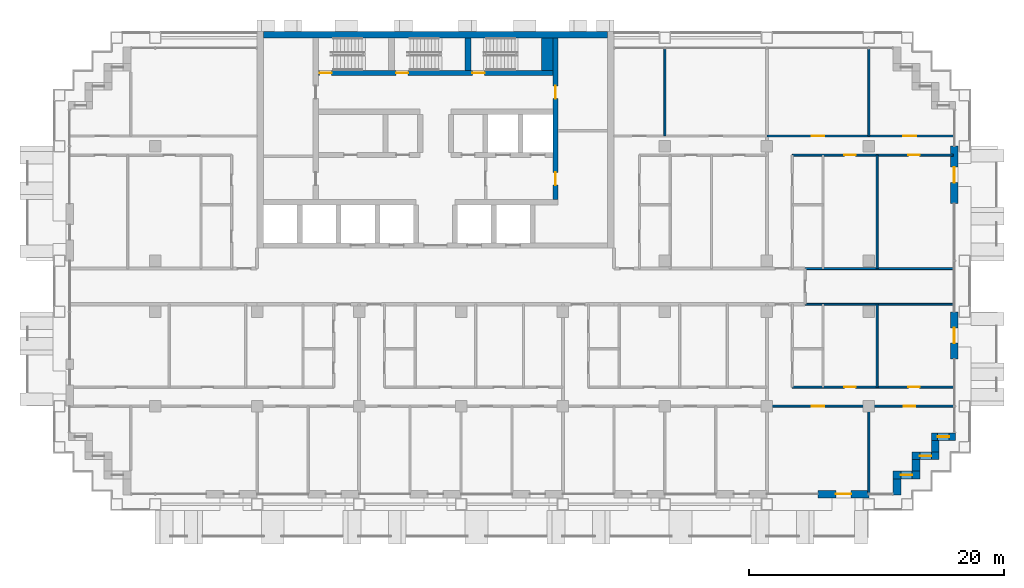
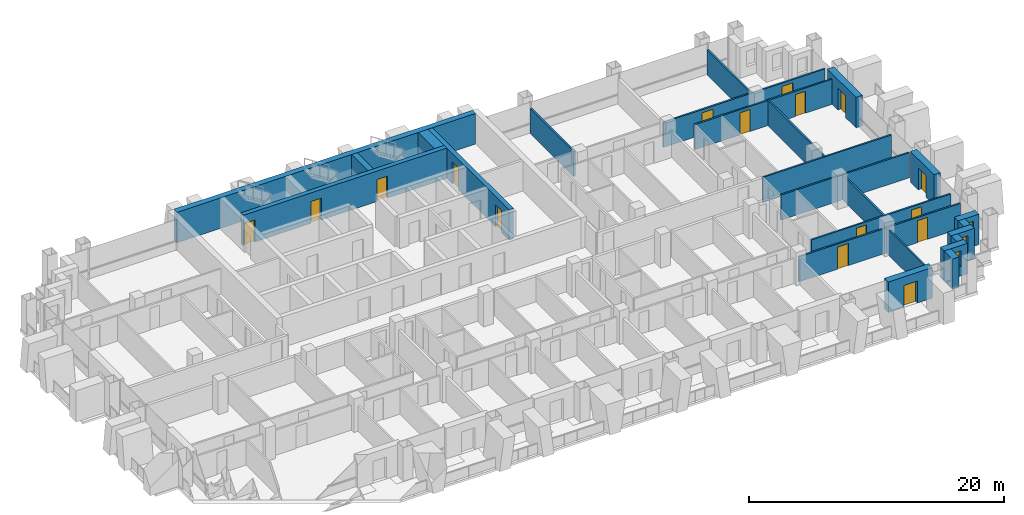
# One storey, part 12 of 17: 25 walls, 16 doors, 3 windows, 19 openings.
"""IFC4 building model written with IfcOpenShell, lengths in metres."""

from ifc_helpers import new_model, si_unit, direction, frame, frame_2d, origin, place, context, subcontext, project, spatial, rectangle, extrude, material, layer, layer_set, type_object, element, fill, save


model = new_model("IFC4")

# Units and contexts
model_context = context("Model", 3, precision=1e-05, world=origin(), true_north=direction((0.0, 1.0)))
body_context = subcontext(model_context, "Body", "Model", "MODEL_VIEW")
ifc_project = project(units=[si_unit("LENGTHUNIT", "METRE"), si_unit("AREAUNIT", "SQUARE_METRE"), si_unit("VOLUMEUNIT", "CUBIC_METRE"), si_unit("PLANEANGLEUNIT", "RADIAN"), si_unit("MASSUNIT", "GRAM", prefix="KILO")], contexts=[model_context])

# Site, building, storey
site_placement = place(None, origin())
site = spatial("IfcSite", under=ifc_project, at=site_placement, CompositionType="ELEMENT")
building_placement = place(site_placement, origin())
building = spatial("IfcBuilding", under=site, at=building_placement, Name="Vidyagriha Tower", CompositionType="ELEMENT")
storey_placement = place(building_placement, frame((0.0, 0.0, 77.5)))
storey = spatial("IfcBuildingStorey", under=building, at=storey_placement, Name="L19", CompositionType="ELEMENT", Elevation=77.5)

# Wall, opening, door
ifc_material_1 = material(Name="Precast concrete C40/50 with brick facing", Category="concrete")
ifc_layer_1 = layer(ifc_material_1, 0.60009765625)
ifc_layer_set_1 = layer_set([ifc_layer_1], Name="Precast concrete C40/50 with brick facing")
wall_type_1 = type_object("IfcWallType", Name="Brick-faced precast wall 600", PredefinedType="STANDARD", material=ifc_layer_set_1)
wall_1_placement = place(storey_placement, frame((30.0, -16.300048828125, 0.0)))
wall_1 = element("IfcWall", 1, at=wall_1_placement, inside=storey, type_object=wall_type_1, Name="Brick door bay wall L19 R23.15", PredefinedType="STANDARD", context=body_context, shape_type="SweptSolid", body=[
    extrude(rectangle(XDim=4.0, YDim=0.60009765625, at=frame_2d((2.0, 0.0))), origin(), (0.0, 0.0, 1.0), 2.919921875),
])
opening_1_placement = place(wall_1_placement, frame((1.39990234375, 0.0, 0.0)))
opening_1 = element("IfcOpeningElement", 2, at=opening_1_placement, cuts=wall_1, Name="Opening D19-80", PredefinedType="OPENING", context=body_context, shape_type="SweptSolid", body=[
    extrude(rectangle(XDim=1.199951171875, YDim=2.10009765625, at=frame_2d((0.60009765625, 1.050048828125))), frame((0.0, 0.31005859375, 0.0), z_axis=(0.0, -1.0, 0.0), x_axis=(1.0, 0.0, 0.0)), (0.0, 0.0, 1.0), 0.6201171875),
])
ifc_material_2 = material(Name="Aluminium framed glazed sliding door", Category="aluminium")
door_type_1 = type_object("IfcDoorType", Name="Balcony sliding door 1200x2100", OperationType="NOTDEFINED", PredefinedType="DOOR", material=ifc_material_2)
door_1_placement = place(opening_1_placement, origin())
door_1 = element("IfcDoor", 3, at=door_1_placement, inside=storey, type_object=door_type_1, Name="Door D19-80", OperationType="SLIDING_TO_LEFT", OverallHeight=2.10009765625, OverallWidth=1.199951171875, PredefinedType="DOOR", context=body_context, shape_type="SweptSolid", body=[
    extrude(rectangle(XDim=1.199951171875, YDim=2.10009765625, at=frame_2d((0.60009765625, 1.050048828125))), frame((0.0, 0.02490234375, 0.0), z_axis=(0.0, -1.0, 0.0), x_axis=(1.0, 0.0, 0.0)), (0.0, 0.0, 1.0), 0.050048828125),
])
fill(opening_1, door_1)

# Wall
wall_2_placement = place(storey_placement, frame((36.199951171875, -16.3798828125, 0.0), z_axis=(0.0, 0.0, 1.0), x_axis=(0.0, 1.0, 0.0)))
element("IfcWall", 4, at=wall_2_placement, inside=storey, type_object=wall_type_1, Name="Stepped corner wall L19 R24", PredefinedType="STANDARD", context=body_context, shape_type="SweptSolid", body=[
    extrude(rectangle(XDim=1.27978515625, YDim=0.60009765625, at=frame_2d((0.639892578125, 0.0))), origin(), (0.0, 0.0, 1.0), 2.919921875),
])

# Wall, opening, window
wall_3_placement = place(storey_placement, frame((35.89990234375, -14.800048828125, 0.0)))
wall_3 = element("IfcWall", 5, at=wall_3_placement, inside=storey, type_object=wall_type_1, Name="Stepped corner wall L19 R25", PredefinedType="STANDARD", context=body_context, shape_type="SweptSolid", body=[
    extrude(rectangle(XDim=2.10009765625, YDim=0.60009765625, at=frame_2d((1.050048828125, 0.0))), origin(), (0.0, 0.0, 1.0), 2.919921875),
])
opening_2_placement = place(wall_3_placement, frame((0.60009765625, 0.0, 0.89990234375)))
opening_2 = element("IfcOpeningElement", 6, at=opening_2_placement, cuts=wall_3, Name="Opening WN1", PredefinedType="OPENING", context=body_context, shape_type="SweptSolid", body=[
    extrude(rectangle(XDim=0.89990234375, YDim=1.5, at=frame_2d((0.449951171875, 0.75))), frame((0.0, 0.31005859375, 0.0), z_axis=(0.0, -1.0, 0.0), x_axis=(1.0, 0.0, 0.0)), (0.0, 0.0, 1.0), 0.6201171875),
])
ifc_material_3 = material(Name="Aluminium and glass window", Category="aluminium")
window_type = type_object("IfcWindowType", Name="Reveal window 900x1500", PartitioningType="NOTDEFINED", PredefinedType="WINDOW", material=ifc_material_3)
window_1_placement = place(opening_2_placement, origin())
window_1 = element("IfcWindow", 7, at=window_1_placement, inside=storey, type_object=window_type, Name="Reveal window L19 R25", OverallHeight=1.5, OverallWidth=0.89990234375, PartitioningType="SINGLE_PANEL", PredefinedType="WINDOW", context=body_context, shape_type="SweptSolid", body=[
    extrude(rectangle(XDim=0.89990234375, YDim=1.5, at=frame_2d((0.449951171875, 0.75))), frame((0.0, 0.030029296875, 0.0), z_axis=(0.0, -1.0, 0.0), x_axis=(1.0, 0.0, 0.0)), (0.0, 0.0, 1.0), 0.06005859375),
])
fill(opening_2, window_1)

# Wall
wall_4_placement = place(storey_placement, frame((37.699951171875, -14.5, 0.0), z_axis=(0.0, 0.0, 1.0), x_axis=(0.0, 1.0, 0.0)))
element("IfcWall", 8, at=wall_4_placement, inside=storey, type_object=wall_type_1, Name="Stepped corner wall L19 R26", PredefinedType="STANDARD", context=body_context, shape_type="SweptSolid", body=[
    extrude(rectangle(XDim=0.89990234375, YDim=0.60009765625, at=frame_2d((0.449951171875, 0.0))), origin(), (0.0, 0.0, 1.0), 2.919921875),
])

# Wall, opening, window
wall_5_placement = place(storey_placement, frame((37.39990234375, -13.300048828125, 0.0)))
wall_5 = element("IfcWall", 9, at=wall_5_placement, inside=storey, type_object=wall_type_1, Name="Stepped corner wall L19 R27", PredefinedType="STANDARD", context=body_context, shape_type="SweptSolid", body=[
    extrude(rectangle(XDim=2.10009765625, YDim=0.60009765625, at=frame_2d((1.050048828125, 0.0))), origin(), (0.0, 0.0, 1.0), 2.919921875),
])
opening_3_placement = place(wall_5_placement, frame((0.60009765625, 0.0, 0.89990234375)))
opening_3 = element("IfcOpeningElement", 10, at=opening_3_placement, cuts=wall_5, Name="Opening WN1", PredefinedType="OPENING", context=body_context, shape_type="SweptSolid", body=[
    extrude(rectangle(XDim=0.89990234375, YDim=1.5, at=frame_2d((0.449951171875, 0.75))), frame((0.0, 0.31005859375, 0.0), z_axis=(0.0, -1.0, 0.0), x_axis=(1.0, 0.0, 0.0)), (0.0, 0.0, 1.0), 0.6201171875),
])
window_2_placement = place(opening_3_placement, origin())
window_2 = element("IfcWindow", 11, at=window_2_placement, inside=storey, type_object=window_type, Name="Reveal window L19 R27", OverallHeight=1.5, OverallWidth=0.89990234375, PartitioningType="SINGLE_PANEL", PredefinedType="WINDOW", context=body_context, shape_type="SweptSolid", body=[
    extrude(rectangle(XDim=0.89990234375, YDim=1.5, at=frame_2d((0.449951171875, 0.75))), frame((0.0, 0.030029296875, 0.0), z_axis=(0.0, -1.0, 0.0), x_axis=(1.0, 0.0, 0.0)), (0.0, 0.0, 1.0), 0.06005859375),
])
fill(opening_3, window_2)

# Wall
wall_6_placement = place(storey_placement, frame((39.199951171875, -13.0, 0.0), z_axis=(0.0, 0.0, 1.0), x_axis=(0.0, 1.0, 0.0)))
element("IfcWall", 12, at=wall_6_placement, inside=storey, type_object=wall_type_1, Name="Stepped corner wall L19 R28", PredefinedType="STANDARD", context=body_context, shape_type="SweptSolid", body=[
    extrude(rectangle(XDim=0.89990234375, YDim=0.60009765625, at=frame_2d((0.449951171875, 0.0))), origin(), (0.0, 0.0, 1.0), 2.919921875),
])

# Wall, opening, window
wall_7_placement = place(storey_placement, frame((38.89990234375, -11.800048828125, 0.0)))
wall_7 = element("IfcWall", 13, at=wall_7_placement, inside=storey, type_object=wall_type_1, Name="Stepped corner wall L19 R29", PredefinedType="STANDARD", context=body_context, shape_type="SweptSolid", body=[
    extrude(rectangle(XDim=1.880126953125, YDim=0.60009765625, at=frame_2d((0.93994140625, 0.0))), origin(), (0.0, 0.0, 1.0), 2.919921875),
])
opening_4_placement = place(wall_7_placement, frame((0.489990234375, 0.0, 0.89990234375)))
opening_4 = element("IfcOpeningElement", 14, at=opening_4_placement, cuts=wall_7, Name="Opening WN1", PredefinedType="OPENING", context=body_context, shape_type="SweptSolid", body=[
    extrude(rectangle(XDim=0.89990234375, YDim=1.5, at=frame_2d((0.449951171875, 0.75))), frame((0.0, 0.31005859375, 0.0), z_axis=(0.0, -1.0, 0.0), x_axis=(1.0, 0.0, 0.0)), (0.0, 0.0, 1.0), 0.6201171875),
])
window_3_placement = place(opening_4_placement, origin())
window_3 = element("IfcWindow", 15, at=window_3_placement, inside=storey, type_object=window_type, Name="Reveal window L19 R29", OverallHeight=1.5, OverallWidth=0.89990234375, PartitioningType="SINGLE_PANEL", PredefinedType="WINDOW", context=body_context, shape_type="SweptSolid", body=[
    extrude(rectangle(XDim=0.89990234375, YDim=1.5, at=frame_2d((0.449951171875, 0.75))), frame((0.0, 0.030029296875, 0.0), z_axis=(0.0, -1.0, 0.0), x_axis=(1.0, 0.0, 0.0)), (0.0, 0.0, 1.0), 0.06005859375),
])
fill(opening_4, window_3)

# Wall, opening, door
wall_8_placement = place(storey_placement, frame((40.699951171875, -5.699951171875, 0.0), z_axis=(0.0, 0.0, 1.0), x_axis=(0.0, 1.0, 0.0)))
wall_8 = element("IfcWall", 16, at=wall_8_placement, inside=storey, type_object=wall_type_1, Name="Brick door bay wall L19 R30.3", PredefinedType="STANDARD", context=body_context, shape_type="SweptSolid", body=[
    extrude(rectangle(XDim=3.699951171875, YDim=0.60009765625, at=frame_2d((1.85009765625, 0.0))), origin(), (0.0, 0.0, 1.0), 2.919921875),
])
opening_5_placement = place(wall_8_placement, frame((1.25, 0.0, 0.0)))
opening_5 = element("IfcOpeningElement", 17, at=opening_5_placement, cuts=wall_8, Name="Opening D19-81", PredefinedType="OPENING", context=body_context, shape_type="SweptSolid", body=[
    extrude(rectangle(XDim=1.199951171875, YDim=2.10009765625, at=frame_2d((0.60009765625, 1.050048828125))), frame((0.0, 0.31005859375, 0.0), z_axis=(0.0, -1.0, 0.0), x_axis=(1.0, 0.0, 0.0)), (0.0, 0.0, 1.0), 0.6201171875),
])
door_2_placement = place(opening_5_placement, origin())
door_2 = element("IfcDoor", 18, at=door_2_placement, inside=storey, type_object=door_type_1, Name="Door D19-81", OperationType="SLIDING_TO_LEFT", OverallHeight=2.10009765625, OverallWidth=1.199951171875, PredefinedType="DOOR", context=body_context, shape_type="SweptSolid", body=[
    extrude(rectangle(XDim=1.199951171875, YDim=2.10009765625, at=frame_2d((0.60009765625, 1.050048828125))), frame((0.0, 0.02490234375, 0.0), z_axis=(0.0, -1.0, 0.0), x_axis=(1.0, 0.0, 0.0)), (0.0, 0.0, 1.0), 0.050048828125),
])
fill(opening_5, door_2)

wall_9_placement = place(storey_placement, frame((40.699951171875, 6.5, 0.0), z_axis=(0.0, 0.0, 1.0), x_axis=(0.0, 1.0, 0.0)))
wall_9 = element("IfcWall", 19, at=wall_9_placement, inside=storey, type_object=wall_type_1, Name="Brick door bay wall L19 R30.6", PredefinedType="STANDARD", context=body_context, shape_type="SweptSolid", body=[
    extrude(rectangle(XDim=4.5, YDim=0.60009765625, at=frame_2d((2.25, 0.0))), origin(), (0.0, 0.0, 1.0), 2.919921875),
])
opening_6_placement = place(wall_9_placement, frame((1.64990234375, 0.0, 0.0)))
opening_6 = element("IfcOpeningElement", 20, at=opening_6_placement, cuts=wall_9, Name="Opening D19-82", PredefinedType="OPENING", context=body_context, shape_type="SweptSolid", body=[
    extrude(rectangle(XDim=1.199951171875, YDim=2.10009765625, at=frame_2d((0.60009765625, 1.050048828125))), frame((0.0, 0.31005859375, 0.0), z_axis=(0.0, -1.0, 0.0), x_axis=(1.0, 0.0, 0.0)), (0.0, 0.0, 1.0), 0.6201171875),
])
door_3_placement = place(opening_6_placement, origin())
door_3 = element("IfcDoor", 21, at=door_3_placement, inside=storey, type_object=door_type_1, Name="Door D19-82", OperationType="SLIDING_TO_LEFT", OverallHeight=2.10009765625, OverallWidth=1.199951171875, PredefinedType="DOOR", context=body_context, shape_type="SweptSolid", body=[
    extrude(rectangle(XDim=1.199951171875, YDim=2.10009765625, at=frame_2d((0.60009765625, 1.050048828125))), frame((0.0, 0.02490234375, 0.0), z_axis=(0.0, -1.0, 0.0), x_axis=(1.0, 0.0, 0.0)), (0.0, 0.0, 1.0), 0.050048828125),
])
fill(opening_6, door_3)

# Wall, openings, doors
ifc_material_4 = material(Name="Concrete C60/75", Category="concrete")
ifc_layer_2 = layer(ifc_material_4, 0.39990234375)
ifc_layer_set_2 = layer_set([ifc_layer_2], Name="Concrete C60/75")
wall_type_2 = type_object("IfcWallType", Name="Core shear wall 400 mm", PredefinedType="SHEAR", material=ifc_layer_set_2)
wall_10_placement = place(storey_placement, frame((9.39990234375, 6.800048828125, 0.0), z_axis=(0.0, 0.0, 1.0), x_axis=(0.0, 1.0, 0.0)))
wall_10 = element("IfcWall", 22, at=wall_10_placement, inside=storey, type_object=wall_type_2, Name="Core east spine wall", PredefinedType="SHEAR", context=body_context, shape_type="SweptSolid", body=[
    extrude(rectangle(XDim=12.699951171875, YDim=0.39990234375, at=frame_2d((6.35009765625, 0.0))), origin(), (0.0, 0.0, 1.0), 2.919921875),
])
opening_7_placement = place(wall_10_placement, frame((1.14990234375, 0.0, 0.0)))
opening_7 = element("IfcOpeningElement", 23, at=opening_7_placement, cuts=wall_10, Name="Opening D19-11", PredefinedType="OPENING", context=body_context, shape_type="SweptSolid", body=[
    extrude(rectangle(XDim=1.0, YDim=2.10009765625, at=frame_2d((0.5, 1.050048828125))), frame((0.0, 0.2099609375, 0.0), z_axis=(0.0, -1.0, 0.0), x_axis=(1.0, 0.0, 0.0)), (0.0, 0.0, 1.0), 0.419921875),
])
opening_8_placement = place(wall_10_placement, frame((7.925048828125, 0.0, 0.0)))
opening_8 = element("IfcOpeningElement", 24, at=opening_8_placement, cuts=wall_10, Name="Opening D19-12", PredefinedType="OPENING", context=body_context, shape_type="SweptSolid", body=[
    extrude(rectangle(XDim=1.0, YDim=2.10009765625, at=frame_2d((0.5, 1.050048828125))), frame((0.0, 0.2099609375, 0.0), z_axis=(0.0, -1.0, 0.0), x_axis=(1.0, 0.0, 0.0)), (0.0, 0.0, 1.0), 0.419921875),
])
ifc_material_5 = material(Name="Hollow metal door leaf")
door_type_2 = type_object("IfcDoorType", Name="Core room door 1000 x 2100 mm EI 60", OperationType="NOTDEFINED", PredefinedType="DOOR", material=ifc_material_5)
door_4_placement = place(opening_7_placement, origin())
door_4 = element("IfcDoor", 25, at=door_4_placement, inside=storey, type_object=door_type_2, Name="Door Pressurisation Plant Room 19.E1", OperationType="SINGLE_SWING_RIGHT", OverallHeight=2.10009765625, OverallWidth=1.0, PredefinedType="DOOR", context=body_context, shape_type="SweptSolid", body=[
    extrude(rectangle(XDim=1.0, YDim=2.10009765625, at=frame_2d((0.5, 1.050048828125))), frame((0.0, 0.02490234375, 0.0), z_axis=(0.0, -1.0, 0.0), x_axis=(1.0, 0.0, 0.0)), (0.0, 0.0, 1.0), 0.050048828125),
])
fill(opening_7, door_4)
door_5_placement = place(opening_8_placement, origin())
door_5 = element("IfcDoor", 26, at=door_5_placement, inside=storey, type_object=door_type_2, Name="Door Storage Room 19.E2", OperationType="SINGLE_SWING_LEFT", OverallHeight=2.10009765625, OverallWidth=1.0, PredefinedType="DOOR", context=body_context, shape_type="SweptSolid", body=[
    extrude(rectangle(XDim=1.0, YDim=2.10009765625, at=frame_2d((0.5, 1.050048828125))), frame((0.0, 0.02490234375, 0.0), z_axis=(0.0, -1.0, 0.0), x_axis=(1.0, 0.0, 0.0)), (0.0, 0.0, 1.0), 0.050048828125),
])
fill(opening_8, door_5)

wall_11_placement = place(storey_placement, frame((-9.199951171875, 16.75, 0.0)))
wall_11 = element("IfcWall", 27, at=wall_11_placement, inside=storey, type_object=wall_type_2, Name="Stair front wall", PredefinedType="SHEAR", context=body_context, shape_type="SweptSolid", body=[
    extrude(rectangle(XDim=18.39990234375, YDim=0.39990234375, at=frame_2d((9.199951171875, 0.0))), origin(), (0.0, 0.0, 1.0), 2.919921875),
])
opening_9_placement = place(wall_11_placement, frame((0.10009765625, 0.0, 0.0)))
opening_9 = element("IfcOpeningElement", 28, at=opening_9_placement, cuts=wall_11, Name="Opening D19-06", PredefinedType="OPENING", context=body_context, shape_type="SweptSolid", body=[
    extrude(rectangle(XDim=0.949951171875, YDim=2.10009765625, at=frame_2d((0.47509765625, 1.050048828125))), frame((0.0, 0.2099609375, 0.0), z_axis=(0.0, -1.0, 0.0), x_axis=(1.0, 0.0, 0.0)), (0.0, 0.0, 1.0), 0.419921875),
])
opening_10_placement = place(wall_11_placement, frame((6.10009765625, 0.0, 0.0)))
opening_10 = element("IfcOpeningElement", 29, at=opening_10_placement, cuts=wall_11, Name="Opening D19-07", PredefinedType="OPENING", context=body_context, shape_type="SweptSolid", body=[
    extrude(rectangle(XDim=0.949951171875, YDim=2.10009765625, at=frame_2d((0.47509765625, 1.050048828125))), frame((0.0, 0.2099609375, 0.0), z_axis=(0.0, -1.0, 0.0), x_axis=(1.0, 0.0, 0.0)), (0.0, 0.0, 1.0), 0.419921875),
])
opening_11_placement = place(wall_11_placement, frame((12.10009765625, 0.0, 0.0)))
opening_11 = element("IfcOpeningElement", 30, at=opening_11_placement, cuts=wall_11, Name="Opening D19-08", PredefinedType="OPENING", context=body_context, shape_type="SweptSolid", body=[
    extrude(rectangle(XDim=0.949951171875, YDim=2.10009765625, at=frame_2d((0.47509765625, 1.050048828125))), frame((0.0, 0.2099609375, 0.0), z_axis=(0.0, -1.0, 0.0), x_axis=(1.0, 0.0, 0.0)), (0.0, 0.0, 1.0), 0.419921875),
])
ifc_material_6 = material(Name="Hollow metal door leaf")
door_type_3 = type_object("IfcDoorType", Name="Exit stair door 950 x 2100 mm EI 90", OperationType="NOTDEFINED", PredefinedType="DOOR", material=ifc_material_6)
door_6_placement = place(opening_9_placement, origin())
door_6 = element("IfcDoor", 31, at=door_6_placement, inside=storey, type_object=door_type_3, Name="Stair door ST1 L19", OperationType="SINGLE_SWING_LEFT", OverallHeight=2.10009765625, OverallWidth=0.949951171875, PredefinedType="DOOR", context=body_context, shape_type="SweptSolid", body=[
    extrude(rectangle(XDim=0.949951171875, YDim=2.10009765625, at=frame_2d((0.47509765625, 1.050048828125))), frame((0.0, 0.02490234375, 0.0), z_axis=(0.0, -1.0, 0.0), x_axis=(1.0, 0.0, 0.0)), (0.0, 0.0, 1.0), 0.050048828125),
])
fill(opening_9, door_6)
door_7_placement = place(opening_10_placement, origin())
door_7 = element("IfcDoor", 32, at=door_7_placement, inside=storey, type_object=door_type_3, Name="Stair door ST2 L19", OperationType="SINGLE_SWING_LEFT", OverallHeight=2.10009765625, OverallWidth=0.949951171875, PredefinedType="DOOR", context=body_context, shape_type="SweptSolid", body=[
    extrude(rectangle(XDim=0.949951171875, YDim=2.10009765625, at=frame_2d((0.47509765625, 1.050048828125))), frame((0.0, 0.02490234375, 0.0), z_axis=(0.0, -1.0, 0.0), x_axis=(1.0, 0.0, 0.0)), (0.0, 0.0, 1.0), 0.050048828125),
])
fill(opening_10, door_7)
door_8_placement = place(opening_11_placement, origin())
door_8 = element("IfcDoor", 33, at=door_8_placement, inside=storey, type_object=door_type_3, Name="Stair door ST3 L19", OperationType="SINGLE_SWING_LEFT", OverallHeight=2.10009765625, OverallWidth=0.949951171875, PredefinedType="DOOR", context=body_context, shape_type="SweptSolid", body=[
    extrude(rectangle(XDim=0.949951171875, YDim=2.10009765625, at=frame_2d((0.47509765625, 1.050048828125))), frame((0.0, 0.02490234375, 0.0), z_axis=(0.0, -1.0, 0.0), x_axis=(1.0, 0.0, 0.0)), (0.0, 0.0, 1.0), 0.050048828125),
])
fill(opening_11, door_8)

# Walls
ifc_material_7 = material(Name="Concrete C60/75", Category="concrete")
ifc_layer_3 = layer(ifc_material_7, 0.5)
ifc_layer_set_3 = layer_set([ifc_layer_3], Name="Concrete C60/75")
wall_type_3 = type_object("IfcWallType", Name="Core shear wall 500 mm", PredefinedType="SHEAR", material=ifc_layer_set_3)
wall_12_placement = place(storey_placement, frame((-13.5, 19.75, 0.0)))
element("IfcWall", 34, at=wall_12_placement, inside=storey, type_object=wall_type_3, Name="Core north wall", PredefinedType="SHEAR", context=body_context, shape_type="SweptSolid", body=[
    extrude(rectangle(XDim=27.0, YDim=0.5, at=frame_2d((13.5, 0.0))), origin(), (0.0, 0.0, 1.0), 2.919921875),
])
wall_13_placement = place(storey_placement, frame((2.550048828125, 16.949951171875, 0.0), z_axis=(0.0, 0.0, 1.0), x_axis=(0.0, 1.0, 0.0)))
element("IfcWall", 35, at=wall_13_placement, inside=storey, type_object=wall_type_3, Name="Stair partition wall 2", PredefinedType="SHEAR", context=body_context, shape_type="SweptSolid", body=[
    extrude(rectangle(XDim=2.550048828125, YDim=0.5, at=frame_2d((1.27490234375, 0.0))), origin(), (0.0, 0.0, 1.0), 2.919921875),
])
ifc_material_8 = material(Name="Concrete C60/75", Category="concrete")
ifc_layer_4 = layer(ifc_material_8, 0.89990234375)
ifc_layer_set_4 = layer_set([ifc_layer_4], Name="Concrete C60/75")
wall_type_4 = type_object("IfcWallType", Name="Core shear wall 900 mm", PredefinedType="SHEAR", material=ifc_layer_set_4)
wall_14_placement = place(storey_placement, frame((8.75, 16.949951171875, 0.0), z_axis=(0.0, 0.0, 1.0), x_axis=(0.0, 1.0, 0.0)))
element("IfcWall", 36, at=wall_14_placement, inside=storey, type_object=wall_type_4, Name="Stair end wall", PredefinedType="SHEAR", context=body_context, shape_type="SweptSolid", body=[
    extrude(rectangle(XDim=2.550048828125, YDim=0.89990234375, at=frame_2d((1.27490234375, 0.0))), origin(), (0.0, 0.0, 1.0), 2.919921875),
])
ifc_material_9 = material(Name="Gypsum board partition")
ifc_layer_5 = layer(ifc_material_9, 0.14990234375)
ifc_layer_set_5 = layer_set([ifc_layer_5], Name="Gypsum board partition")
wall_type_5 = type_object("IfcWallType", Name="Gypsum board partition 150", PredefinedType="PARTITIONING", material=ifc_layer_set_5)
wall_15_placement = place(storey_placement, frame((34.64990234375, -1.39990234375, 0.0), z_axis=(0.0, 0.0, 1.0), x_axis=(0.0, -1.0, 0.0)))
element("IfcWall", 37, at=wall_15_placement, inside=storey, type_object=wall_type_5, Name="Wall all-L19-w068", PredefinedType="PARTITIONING", context=body_context, shape_type="SweptSolid", body=[
    extrude(rectangle(XDim=6.5, YDim=0.14990234375, at=frame_2d((3.25, 0.0))), origin(), (0.0, 0.0, 1.0), 2.39990234375),
])

# Wall, openings, doors
wall_16_placement = place(storey_placement, frame((28.0, -7.89990234375, 0.0)))
wall_16 = element("IfcWall", 38, at=wall_16_placement, inside=storey, type_object=wall_type_5, Name="Wall all-L19-w069", PredefinedType="PARTITIONING", context=body_context, shape_type="SweptSolid", body=[
    extrude(rectangle(XDim=12.6201171875, YDim=0.14990234375, at=frame_2d((6.31005859375, 0.0))), origin(), (0.0, 0.0, 1.0), 2.39990234375),
])
opening_12_placement = place(wall_16_placement, frame((4.074951171875, 0.0, 0.0)))
opening_12 = element("IfcOpeningElement", 39, at=opening_12_placement, cuts=wall_16, Name="Opening D19-45", PredefinedType="OPENING", context=body_context, shape_type="SweptSolid", body=[
    extrude(rectangle(XDim=0.89990234375, YDim=2.10009765625, at=frame_2d((0.449951171875, 1.050048828125))), frame((0.0, 0.0849609375, 0.0), z_axis=(0.0, -1.0, 0.0), x_axis=(1.0, 0.0, 0.0)), (0.0, 0.0, 1.0), 0.169921875),
])
opening_13_placement = place(wall_16_placement, frame((9.074951171875, 0.0, 0.0)))
opening_13 = element("IfcOpeningElement", 40, at=opening_13_placement, cuts=wall_16, Name="Opening D19-46", PredefinedType="OPENING", context=body_context, shape_type="SweptSolid", body=[
    extrude(rectangle(XDim=0.89990234375, YDim=2.10009765625, at=frame_2d((0.449951171875, 1.050048828125))), frame((0.0, 0.0849609375, 0.0), z_axis=(0.0, -1.0, 0.0), x_axis=(1.0, 0.0, 0.0)), (0.0, 0.0, 1.0), 0.169921875),
])
ifc_material_10 = material(Name="Timber door leaf", Category="wood")
door_type_4 = type_object("IfcDoorType", Name="Room door 900x2100", OperationType="NOTDEFINED", PredefinedType="DOOR", material=ifc_material_10)
door_9_placement = place(opening_12_placement, origin())
door_9 = element("IfcDoor", 41, at=door_9_placement, inside=storey, type_object=door_type_4, Name="Door D19-45", OperationType="SINGLE_SWING_RIGHT", OverallHeight=2.10009765625, OverallWidth=0.89990234375, PredefinedType="DOOR", context=body_context, shape_type="SweptSolid", body=[
    extrude(rectangle(XDim=0.89990234375, YDim=2.10009765625, at=frame_2d((0.449951171875, 1.050048828125))), frame((0.0, 0.02490234375, 0.0), z_axis=(0.0, -1.0, 0.0), x_axis=(1.0, 0.0, 0.0)), (0.0, 0.0, 1.0), 0.050048828125),
])
fill(opening_12, door_9)
door_10_placement = place(opening_13_placement, origin())
door_10 = element("IfcDoor", 42, at=door_10_placement, inside=storey, type_object=door_type_4, Name="Door D19-46", OperationType="SINGLE_SWING_RIGHT", OverallHeight=2.10009765625, OverallWidth=0.89990234375, PredefinedType="DOOR", context=body_context, shape_type="SweptSolid", body=[
    extrude(rectangle(XDim=0.89990234375, YDim=2.10009765625, at=frame_2d((0.449951171875, 1.050048828125))), frame((0.0, 0.02490234375, 0.0), z_axis=(0.0, -1.0, 0.0), x_axis=(1.0, 0.0, 0.0)), (0.0, 0.0, 1.0), 0.050048828125),
])
fill(opening_13, door_10)

wall_17_placement = place(storey_placement, frame((40.6201171875, -9.39990234375, 0.0), z_axis=(0.0, 0.0, 1.0), x_axis=(-1.0, 0.0, 0.0)))
wall_17 = element("IfcWall", 43, at=wall_17_placement, inside=storey, type_object=wall_type_5, Name="Wall all-L19-w072", PredefinedType="PARTITIONING", context=body_context, shape_type="SweptSolid", body=[
    extrude(rectangle(XDim=14.6201171875, YDim=0.14990234375, at=frame_2d((7.31005859375, 0.0))), origin(), (0.0, 0.0, 1.0), 2.39990234375),
])
opening_14_placement = place(wall_17_placement, frame((10.1201171875, 0.0, 0.0)))
opening_14 = element("IfcOpeningElement", 44, at=opening_14_placement, cuts=wall_17, Name="Opening D19-47", PredefinedType="OPENING", context=body_context, shape_type="SweptSolid", body=[
    extrude(rectangle(XDim=1.0, YDim=2.10009765625, at=frame_2d((0.5, 1.050048828125))), frame((0.0, 0.0849609375, 0.0), z_axis=(0.0, -1.0, 0.0), x_axis=(1.0, 0.0, 0.0)), (0.0, 0.0, 1.0), 0.169921875),
])
opening_15_placement = place(wall_17_placement, frame((2.969970703125, 0.0, 0.0)))
opening_15 = element("IfcOpeningElement", 45, at=opening_15_placement, cuts=wall_17, Name="Opening D19-48", PredefinedType="OPENING", context=body_context, shape_type="SweptSolid", body=[
    extrude(rectangle(XDim=0.89990234375, YDim=2.10009765625, at=frame_2d((0.449951171875, 1.050048828125))), frame((0.0, 0.0849609375, 0.0), z_axis=(0.0, -1.0, 0.0), x_axis=(1.0, 0.0, 0.0)), (0.0, 0.0, 1.0), 0.169921875),
])
ifc_material_11 = material(Name="Timber door leaf", Category="wood")
door_type_5 = type_object("IfcDoorType", Name="Room door 1000x2100", OperationType="NOTDEFINED", PredefinedType="DOOR", material=ifc_material_11)
door_11_placement = place(opening_14_placement, origin())
door_11 = element("IfcDoor", 46, at=door_11_placement, inside=storey, type_object=door_type_5, Name="Door D19-47", OperationType="SINGLE_SWING_RIGHT", OverallHeight=2.10009765625, OverallWidth=1.0, PredefinedType="DOOR", context=body_context, shape_type="SweptSolid", body=[
    extrude(rectangle(XDim=1.0, YDim=2.10009765625, at=frame_2d((0.5, 1.050048828125))), frame((0.0, 0.02490234375, 0.0), z_axis=(0.0, -1.0, 0.0), x_axis=(1.0, 0.0, 0.0)), (0.0, 0.0, 1.0), 0.050048828125),
])
fill(opening_14, door_11)
door_12_placement = place(opening_15_placement, origin())
door_12 = element("IfcDoor", 47, at=door_12_placement, inside=storey, type_object=door_type_4, Name="Door D19-48", OperationType="SINGLE_SWING_LEFT", OverallHeight=2.10009765625, OverallWidth=0.89990234375, PredefinedType="DOOR", context=body_context, shape_type="SweptSolid", body=[
    extrude(rectangle(XDim=0.89990234375, YDim=2.10009765625, at=frame_2d((0.449951171875, 1.050048828125))), frame((0.0, 0.02490234375, 0.0), z_axis=(0.0, -1.0, 0.0), x_axis=(1.0, 0.0, 0.0)), (0.0, 0.0, 1.0), 0.050048828125),
])
fill(opening_15, door_12)

# Walls
wall_18_placement = place(storey_placement, frame((34.0, -9.39990234375, 0.0), z_axis=(0.0, 0.0, 1.0), x_axis=(0.0, -1.0, 0.0)))
element("IfcWall", 48, at=wall_18_placement, inside=storey, type_object=wall_type_5, Name="Wall all-L19-w075", PredefinedType="PARTITIONING", context=body_context, shape_type="SweptSolid", body=[
    extrude(rectangle(XDim=6.81005859375, YDim=0.14990234375, at=frame_2d((3.405029296875, 0.0))), origin(), (0.0, 0.0, 1.0), 2.39990234375),
])
wall_19_placement = place(storey_placement, frame((40.6201171875, -1.39990234375, 0.0), z_axis=(0.0, 0.0, 1.0), x_axis=(-1.0, 0.0, 0.0)))
element("IfcWall", 49, at=wall_19_placement, inside=storey, type_object=wall_type_5, Name="Wall all-L19-w080", PredefinedType="PARTITIONING", context=body_context, shape_type="SweptSolid", body=[
    extrude(rectangle(XDim=11.6201171875, YDim=0.14990234375, at=frame_2d((5.81005859375, 0.0))), origin(), (0.0, 0.0, 1.0), 2.39990234375),
])
wall_20_placement = place(storey_placement, frame((18.0, 18.62109375, 0.0), z_axis=(0.0, 0.0, 1.0), x_axis=(0.0, -1.0, 0.0)))
element("IfcWall", 50, at=wall_20_placement, inside=storey, type_object=wall_type_5, Name="Wall all-L19-w108", PredefinedType="PARTITIONING", context=body_context, shape_type="SweptSolid", body=[
    extrude(rectangle(XDim=6.821044921875, YDim=0.14990234375, at=frame_2d((3.41064453125, 0.0))), origin(), (0.0, 0.0, 1.0), 2.39990234375),
])
wall_21_placement = place(storey_placement, frame((34.64990234375, 10.300048828125, 0.0), z_axis=(0.0, 0.0, 1.0), x_axis=(0.0, -1.0, 0.0)))
element("IfcWall", 51, at=wall_21_placement, inside=storey, type_object=wall_type_5, Name="Wall all-L19-w115", PredefinedType="PARTITIONING", context=body_context, shape_type="SweptSolid", body=[
    extrude(rectangle(XDim=8.900146484375, YDim=0.14990234375, at=frame_2d((4.4501953125, 0.0))), origin(), (0.0, 0.0, 1.0), 2.39990234375),
])

# Wall, openings, doors
wall_22_placement = place(storey_placement, frame((40.610107421875, 10.300048828125, 0.0), z_axis=(0.0, 0.0, 1.0), x_axis=(-1.0, 0.0, 0.0)))
wall_22 = element("IfcWall", 52, at=wall_22_placement, inside=storey, type_object=wall_type_5, Name="Wall all-L19-w116", PredefinedType="PARTITIONING", context=body_context, shape_type="SweptSolid", body=[
    extrude(rectangle(XDim=12.610107421875, YDim=0.14990234375, at=frame_2d((6.30517578125, 0.0))), origin(), (0.0, 0.0, 1.0), 2.39990234375),
])
opening_16_placement = place(wall_22_placement, frame((7.635009765625, 0.0, 0.0)))
opening_16 = element("IfcOpeningElement", 53, at=opening_16_placement, cuts=wall_22, Name="Opening D19-66", PredefinedType="OPENING", context=body_context, shape_type="SweptSolid", body=[
    extrude(rectangle(XDim=0.89990234375, YDim=2.10009765625, at=frame_2d((0.449951171875, 1.050048828125))), frame((0.0, 0.0849609375, 0.0), z_axis=(0.0, -1.0, 0.0), x_axis=(1.0, 0.0, 0.0)), (0.0, 0.0, 1.0), 0.169921875),
])
opening_17_placement = place(wall_22_placement, frame((2.635009765625, 0.0, 0.0)))
opening_17 = element("IfcOpeningElement", 54, at=opening_17_placement, cuts=wall_22, Name="Opening D19-67", PredefinedType="OPENING", context=body_context, shape_type="SweptSolid", body=[
    extrude(rectangle(XDim=0.89990234375, YDim=2.10009765625, at=frame_2d((0.449951171875, 1.050048828125))), frame((0.0, 0.0849609375, 0.0), z_axis=(0.0, -1.0, 0.0), x_axis=(1.0, 0.0, 0.0)), (0.0, 0.0, 1.0), 0.169921875),
])
door_13_placement = place(opening_16_placement, origin())
door_13 = element("IfcDoor", 55, at=door_13_placement, inside=storey, type_object=door_type_4, Name="Door D19-66", OperationType="SINGLE_SWING_RIGHT", OverallHeight=2.10009765625, OverallWidth=0.89990234375, PredefinedType="DOOR", context=body_context, shape_type="SweptSolid", body=[
    extrude(rectangle(XDim=0.89990234375, YDim=2.10009765625, at=frame_2d((0.449951171875, 1.050048828125))), frame((0.0, 0.02490234375, 0.0), z_axis=(0.0, -1.0, 0.0), x_axis=(1.0, 0.0, 0.0)), (0.0, 0.0, 1.0), 0.050048828125),
])
fill(opening_16, door_13)
door_14_placement = place(opening_17_placement, origin())
door_14 = element("IfcDoor", 56, at=door_14_placement, inside=storey, type_object=door_type_4, Name="Door D19-67", OperationType="SINGLE_SWING_RIGHT", OverallHeight=2.10009765625, OverallWidth=0.89990234375, PredefinedType="DOOR", context=body_context, shape_type="SweptSolid", body=[
    extrude(rectangle(XDim=0.89990234375, YDim=2.10009765625, at=frame_2d((0.449951171875, 1.050048828125))), frame((0.0, 0.02490234375, 0.0), z_axis=(0.0, -1.0, 0.0), x_axis=(1.0, 0.0, 0.0)), (0.0, 0.0, 1.0), 0.050048828125),
])
fill(opening_17, door_14)

wall_23_placement = place(storey_placement, frame((26.0, 11.800048828125, 0.0)))
wall_23 = element("IfcWall", 57, at=wall_23_placement, inside=storey, type_object=wall_type_5, Name="Wall all-L19-w119", PredefinedType="PARTITIONING", context=body_context, shape_type="SweptSolid", body=[
    extrude(rectangle(XDim=14.6201171875, YDim=0.14990234375, at=frame_2d((7.31005859375, 0.0))), origin(), (0.0, 0.0, 1.0), 2.39990234375),
])
opening_18_placement = place(wall_23_placement, frame((3.5, 0.0, 0.0)))
opening_18 = element("IfcOpeningElement", 58, at=opening_18_placement, cuts=wall_23, Name="Opening D19-68", PredefinedType="OPENING", context=body_context, shape_type="SweptSolid", body=[
    extrude(rectangle(XDim=1.0, YDim=2.10009765625, at=frame_2d((0.5, 1.050048828125))), frame((0.0, 0.0849609375, 0.0), z_axis=(0.0, -1.0, 0.0), x_axis=(1.0, 0.0, 0.0)), (0.0, 0.0, 1.0), 0.169921875),
])
opening_19_placement = place(wall_23_placement, frame((10.699951171875, 0.0, 0.0)))
opening_19 = element("IfcOpeningElement", 59, at=opening_19_placement, cuts=wall_23, Name="Opening D19-69", PredefinedType="OPENING", context=body_context, shape_type="SweptSolid", body=[
    extrude(rectangle(XDim=1.0, YDim=2.10009765625, at=frame_2d((0.5, 1.050048828125))), frame((0.0, 0.0849609375, 0.0), z_axis=(0.0, -1.0, 0.0), x_axis=(1.0, 0.0, 0.0)), (0.0, 0.0, 1.0), 0.169921875),
])
door_15_placement = place(opening_18_placement, origin())
door_15 = element("IfcDoor", 60, at=door_15_placement, inside=storey, type_object=door_type_5, Name="Door D19-68", OperationType="SINGLE_SWING_RIGHT", OverallHeight=2.10009765625, OverallWidth=1.0, PredefinedType="DOOR", context=body_context, shape_type="SweptSolid", body=[
    extrude(rectangle(XDim=1.0, YDim=2.10009765625, at=frame_2d((0.5, 1.050048828125))), frame((0.0, 0.02490234375, 0.0), z_axis=(0.0, -1.0, 0.0), x_axis=(1.0, 0.0, 0.0)), (0.0, 0.0, 1.0), 0.050048828125),
])
fill(opening_18, door_15)
door_16_placement = place(opening_19_placement, origin())
door_16 = element("IfcDoor", 61, at=door_16_placement, inside=storey, type_object=door_type_5, Name="Door D19-69", OperationType="SINGLE_SWING_RIGHT", OverallHeight=2.10009765625, OverallWidth=1.0, PredefinedType="DOOR", context=body_context, shape_type="SweptSolid", body=[
    extrude(rectangle(XDim=1.0, YDim=2.10009765625, at=frame_2d((0.5, 1.050048828125))), frame((0.0, 0.02490234375, 0.0), z_axis=(0.0, -1.0, 0.0), x_axis=(1.0, 0.0, 0.0)), (0.0, 0.0, 1.0), 0.050048828125),
])
fill(opening_19, door_16)

# Walls
wall_24_placement = place(storey_placement, frame((34.0, 18.62109375, 0.0), z_axis=(0.0, 0.0, 1.0), x_axis=(0.0, -1.0, 0.0)))
element("IfcWall", 62, at=wall_24_placement, inside=storey, type_object=wall_type_5, Name="Wall all-L19-w122", PredefinedType="PARTITIONING", context=body_context, shape_type="SweptSolid", body=[
    extrude(rectangle(XDim=6.821044921875, YDim=0.14990234375, at=frame_2d((3.41064453125, 0.0))), origin(), (0.0, 0.0, 1.0), 2.39990234375),
])
wall_25_placement = place(storey_placement, frame((29.0, 1.39990234375, 0.0)))
element("IfcWall", 63, at=wall_25_placement, inside=storey, type_object=wall_type_5, Name="Wall all-L19-w126", PredefinedType="PARTITIONING", context=body_context, shape_type="SweptSolid", body=[
    extrude(rectangle(XDim=11.6201171875, YDim=0.14990234375, at=frame_2d((5.81005859375, 0.0))), origin(), (0.0, 0.0, 1.0), 2.39990234375),
])

save(model, "model.ifc")
